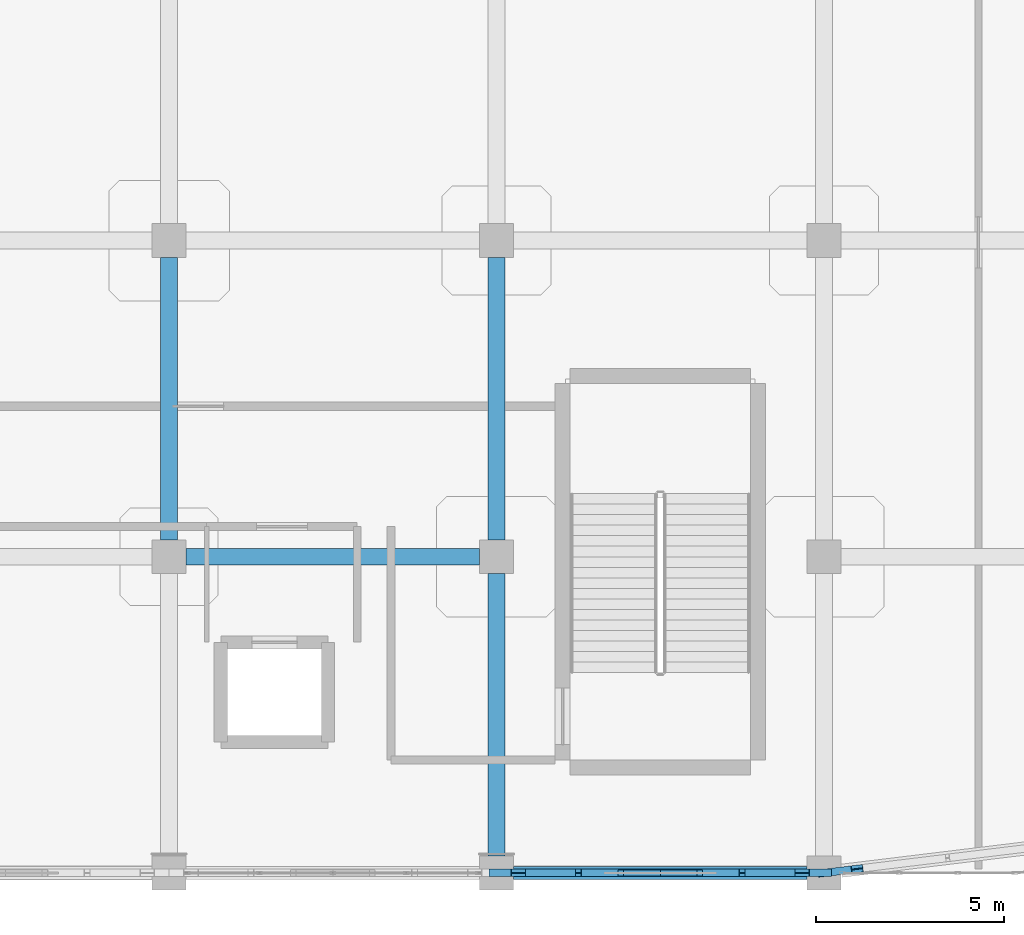
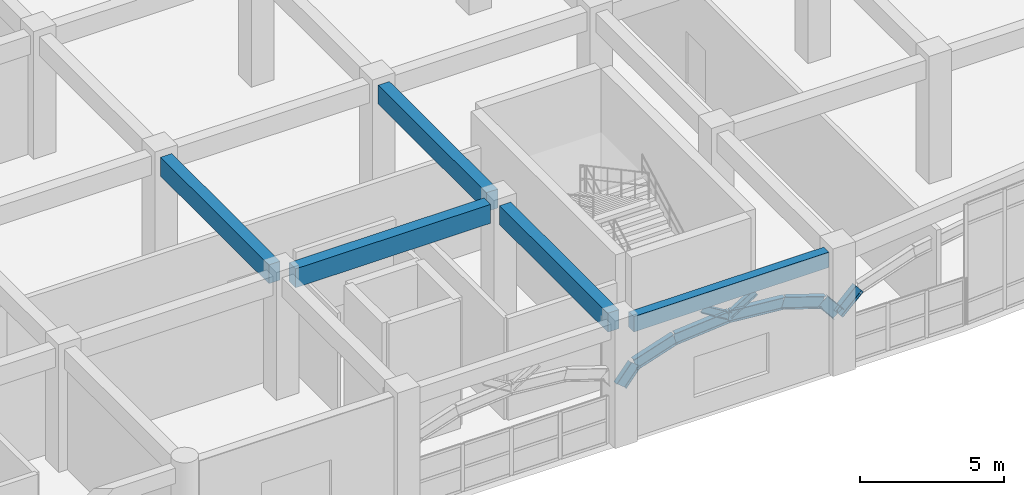
# One storey, part 52 of 114: 12 beams, 2 members.
"""IFC4 building model written with IfcOpenShell, lengths in metres."""

from ifc_helpers import new_model, si_unit, derived_unit, direction, frame, origin, origin_2d, place, context, subcontext, project, spatial, rectangle, i_section, extrude, material, material_profile, profile_set, type_object, element, save


model = new_model("IFC4")

# Units and contexts
model_context = context("Model", 3, precision=1e-05, world=origin(), true_north=direction((0.0, 1.0)))
body_context = subcontext(model_context, "Body", "Model", "MODEL_VIEW")
ifc_project = project(units=[si_unit("LENGTHUNIT", "METRE"), si_unit("AREAUNIT", "SQUARE_METRE"), si_unit("VOLUMEUNIT", "CUBIC_METRE"), si_unit("PLANEANGLEUNIT", "RADIAN"), si_unit("MASSUNIT", "GRAM", prefix="KILO"), derived_unit("THERMALTRANSMITTANCEUNIT", [(si_unit("MASSUNIT", "GRAM", prefix="KILO"), 1), (si_unit("TIMEUNIT", "SECOND"), -3), (si_unit("THERMODYNAMICTEMPERATUREUNIT", "KELVIN"), -1)])], contexts=[model_context])

# Site, building, storey
site_placement = place(None, origin())
site = spatial("IfcSite", under=ifc_project, at=site_placement, CompositionType="ELEMENT")
building_placement = place(site_placement, origin())
building = spatial("IfcBuilding", under=site, at=building_placement, Name="Qinzheling Arcade Emporium", CompositionType="ELEMENT")
storey_placement = place(building_placement, frame((0.0, 0.0, 6.0)))
storey = spatial("IfcBuildingStorey", under=building, at=storey_placement, Name="L02", CompositionType="ELEMENT", Elevation=6.0)

# Beams
ifc_material_1 = material(Name="Weathering steel Q355NH", Category="steel")
ifc_material_profile_1 = material_profile(ifc_material_1, i_section(OverallWidth=0.199951171875, OverallDepth=0.5, WebThickness=0.010009765625, FlangeThickness=0.01611328125, FilletRadius=0.01806640625, at=origin_2d()), Name="HN 500x200x10x16", Category="steel")
ifc_profile_set_1 = profile_set([ifc_material_profile_1], Name="Weathering steel Q355NH")
beam_type_1 = type_object("IfcBeamType", Name="Arcade End Arch Rib HN500 Q355NH", PredefinedType="BEAM", material=ifc_profile_set_1)
beam_1_placement = place(storey_placement, frame((147.89990234375, 0.0, 2.260009765625), z_axis=(0.773628859341, 0.093994296918, 0.626628646123), x_axis=(-0.120610966673, 0.992699851273, 0.0)))
element("IfcBeam", 1, at=beam_1_placement, inside=storey, type_object=beam_type_1, Name="Curved Arcade Entrance Arch ARC-L02-CV4-B01-C01", PredefinedType="BEAM", context=body_context, shape_type="SweptSolid", body=[
    extrude(i_section(OverallWidth=0.199951171875, OverallDepth=0.5, WebThickness=0.010009765625, FlangeThickness=0.01611328125, FilletRadius=0.01806640625, at=origin_2d()), origin(), (0.0, 0.0, 1.0), 1.1376953125),
])
beam_2_placement = place(storey_placement, frame((139.199951171875, 0.0, 2.260009765625), z_axis=(0.633064539161, 0.0, 0.774099017734), x_axis=(0.0, 1.0, 0.0)))
element("IfcBeam", 2, at=beam_2_placement, inside=storey, type_object=beam_type_1, Name="Street Entrance Arch ARC-L02-S10-C01", PredefinedType="BEAM", context=body_context, shape_type="SweptSolid", body=[
    extrude(i_section(OverallWidth=0.199951171875, OverallDepth=0.5, WebThickness=0.010009765625, FlangeThickness=0.01611328125, FilletRadius=0.01806640625, at=origin_2d()), origin(), (0.0, 0.0, 1.0), 0.9208984375),
])
beam_3_placement = place(storey_placement, frame((139.782958984375, 0.0, 2.972900390625), z_axis=(0.950403395584, 0.0, 0.311019912004), x_axis=(0.0, 1.0, 0.0)))
element("IfcBeam", 3, at=beam_3_placement, inside=storey, type_object=beam_type_1, Name="Street Entrance Arch ARC-L02-S10-C02", PredefinedType="BEAM", context=body_context, shape_type="SweptSolid", body=[
    extrude(i_section(OverallWidth=0.199951171875, OverallDepth=0.5, WebThickness=0.010009765625, FlangeThickness=0.01611328125, FilletRadius=0.01806640625, at=origin_2d()), origin(), (0.0, 0.0, 1.0), 1.675048828125),
])
for number, where, z_axis, x_axis, name in (
    (4, (141.375, 0.0, 3.493896484375), (0.996160024341, 0.0, 0.087551161641), (0.0, 1.0, 0.0), "Street Entrance Arch ARC-L02-S10-C03"),
    (5, (143.550048828125, 0.0, 3.68505859375), (0.996160024341, 0.0, -0.087551161641), (0.0, 1.0, 0.0), "Street Entrance Arch ARC-L02-S10-C04"),
):
    element("IfcBeam", number, at=place(storey_placement, frame(where, z_axis=z_axis, x_axis=x_axis)), inside=storey, type_object=beam_type_1, Name=name, PredefinedType="BEAM", context=body_context, shape_type="SweptSolid", body=[
        extrude(i_section(OverallWidth=0.199951171875, OverallDepth=0.5, WebThickness=0.010009765625, FlangeThickness=0.01611328125, FilletRadius=0.01806640625, at=origin_2d()), origin(), (0.0, 0.0, 1.0), 2.183349609375),
    ])
beam_4_placement = place(storey_placement, frame((145.72509765625, 0.0, 3.493896484375), z_axis=(0.950389294243, 0.0, -0.311062999067), x_axis=(0.0, 1.0, 0.0)))
element("IfcBeam", 6, at=beam_4_placement, inside=storey, type_object=beam_type_1, Name="Street Entrance Arch ARC-L02-S10-C05", PredefinedType="BEAM", context=body_context, shape_type="SweptSolid", body=[
    extrude(i_section(OverallWidth=0.199951171875, OverallDepth=0.5, WebThickness=0.010009765625, FlangeThickness=0.01611328125, FilletRadius=0.01806640625, at=origin_2d()), origin(), (0.0, 0.0, 1.0), 1.6748046875),
])
beam_5_placement = place(storey_placement, frame((147.31689453125, 0.0, 2.972900390625), z_axis=(0.633064539161, 0.0, -0.774099017734), x_axis=(0.0, 1.0, 0.0)))
element("IfcBeam", 7, at=beam_5_placement, inside=storey, type_object=beam_type_1, Name="Street Entrance Arch ARC-L02-S10-C06", PredefinedType="BEAM", context=body_context, shape_type="SweptSolid", body=[
    extrude(i_section(OverallWidth=0.199951171875, OverallDepth=0.5, WebThickness=0.010009765625, FlangeThickness=0.01611328125, FilletRadius=0.01806640625, at=origin_2d()), origin(), (0.0, 0.0, 1.0), 0.9208984375),
])

# Members
ifc_material_profile_2 = material_profile(ifc_material_1, i_section(OverallWidth=0.14990234375, OverallDepth=0.300048828125, WebThickness=0.006591796875, FlangeThickness=0.009033203125, FilletRadius=0.012939453125, at=origin_2d()), Name="HN 300x150x6.5x9", Category="steel")
ifc_profile_set_2 = profile_set([ifc_material_profile_2], Name="Weathering steel Q355NH")
member_type = type_object("IfcMemberType", Name="Arcade Spandrel Web Chord HN300 Q355NH", PredefinedType="CHORD", material=ifc_profile_set_2)
for number, where, z_axis, x_axis, name in (
    (8, (143.550048828125, 0.0, 3.695068359375), (-0.85393390348, 0.0, 0.520381483613), (0.0, -1.0, 0.0), "Street Spandrel Web Chord ASW-L02-S10-W1"),
    (9, (143.550048828125, 0.0, 3.695068359375), (0.85393390348, 0.0, 0.520381483613), (0.0, 1.0, 0.0), "Street Spandrel Web Chord ASW-L02-S10-W2"),
):
    element("IfcMember", number, at=place(storey_placement, frame(where, z_axis=z_axis, x_axis=x_axis)), inside=storey, type_object=member_type, Name=name, PredefinedType="CHORD", context=body_context, shape_type="SweptSolid", body=[
        extrude(i_section(OverallWidth=0.14990234375, OverallDepth=0.300048828125, WebThickness=0.006591796875, FlangeThickness=0.009033203125, FilletRadius=0.012939453125, at=origin_2d()), origin(), (0.0, 0.0, 1.0), 1.229736328125),
    ])

# Beams
ifc_material_2 = material(Name="Concrete C40", Category="concrete")
ifc_material_profile_3 = material_profile(ifc_material_2, rectangle(XDim=0.449951171875, YDim=0.800048828125, at=origin_2d()), Name="RC 450x800", Category="concrete")
ifc_profile_set_3 = profile_set([ifc_material_profile_3], Name="Concrete C40")
beam_type_2 = type_object("IfcBeamType", Name="RC Primary Frame Beam 450x800 C40", PredefinedType="BEAM", material=ifc_profile_set_3)
beam_6_placement = place(storey_placement, frame((130.949951171875, 8.39990234375, 4.705078125), z_axis=(1.0, 0.0, 0.0), x_axis=(0.0, 1.0, 0.0)))
element("IfcBeam", 10, at=beam_6_placement, inside=storey, type_object=beam_type_2, Name="Beam BM-L02-X-B-16", PredefinedType="BEAM", context=body_context, shape_type="SweptSolid", body=[
    extrude(rectangle(XDim=0.449951171875, YDim=0.800048828125, at=origin_2d()), origin(), (0.0, 0.0, 1.0), 7.800048828125),
])
for number, where, z_axis, x_axis, name in (
    (11, (130.5, 8.85009765625, 4.705078125), (0.0, 1.0, 0.0), (-1.0, 0.0, 0.0), "Beam BM-L02-Y-16-B"),
    (12, (139.199951171875, 0.449951171875, 4.705078125), (0.0, 1.0, 0.0), (-1.0, 0.0, 0.0), "Beam BM-L02-Y-17-A"),
    (13, (139.199951171875, 8.85009765625, 4.705078125), (0.0, 1.0, 0.0), (-1.0, 0.0, 0.0), "Beam BM-L02-Y-17-B"),
):
    element("IfcBeam", number, at=place(storey_placement, frame(where, z_axis=z_axis, x_axis=x_axis)), inside=storey, type_object=beam_type_2, Name=name, PredefinedType="BEAM", context=body_context, shape_type="SweptSolid", body=[
        extrude(rectangle(XDim=0.449951171875, YDim=0.800048828125, at=origin_2d()), origin(), (0.0, 0.0, 1.0), 7.5),
    ])
ifc_material_profile_4 = material_profile(ifc_material_2, rectangle(XDim=0.35009765625, YDim=0.64990234375, at=origin_2d()), Name="RC 350x650", Category="concrete")
ifc_profile_set_4 = profile_set([ifc_material_profile_4], Name="Concrete C40")
beam_type_3 = type_object("IfcBeamType", Name="RC Spandrel Edge Beam 350x650 C40", PredefinedType="SPANDREL", material=ifc_profile_set_4)
beam_7_placement = place(storey_placement, frame((139.64990234375, 0.0, 4.780029296875), z_axis=(1.0, 0.0, 0.0), x_axis=(0.0, 1.0, 0.0)))
element("IfcBeam", 14, at=beam_7_placement, inside=storey, type_object=beam_type_3, Name="Beam BM-L02-X-A-17", PredefinedType="SPANDREL", context=body_context, shape_type="SweptSolid", body=[
    extrude(rectangle(XDim=0.35009765625, YDim=0.64990234375, at=origin_2d()), origin(), (0.0, 0.0, 1.0), 7.800048828125),
])

save(model, "model.ifc")
